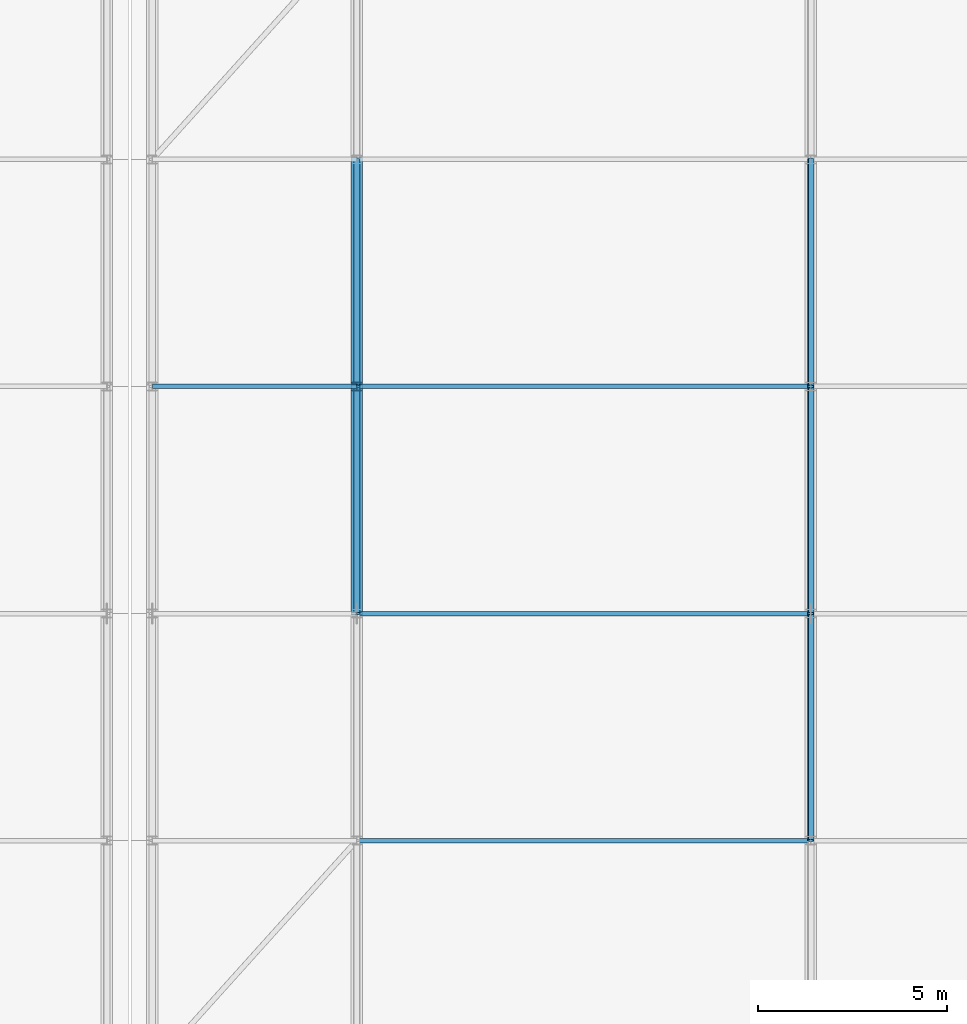
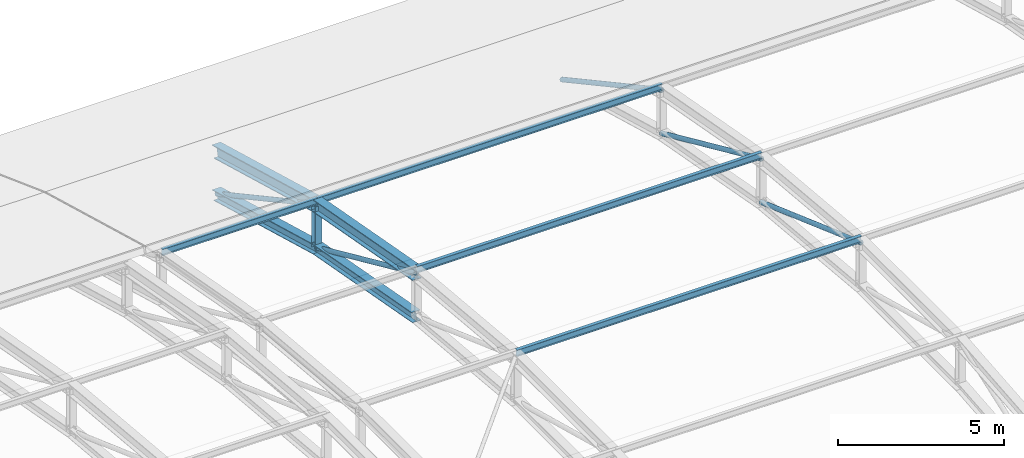
# One storey, part 102 of 204: 14 members.
"""IFC4 building model written with IfcOpenShell, lengths in metres."""

from ifc_helpers import new_model, si_unit, direction, frame, origin, origin_2d, place, context, subcontext, project, spatial, hollow_circle, i_section, extrude, material, material_profile, profile_set, type_object, element, save


model = new_model("IFC4")

# Units and contexts
model_context = context("Model", 3, precision=1e-05, world=origin(), true_north=direction((0.0, 1.0)))
body_context = subcontext(model_context, "Body", "Model", "MODEL_VIEW")
ifc_project = project(units=[si_unit("LENGTHUNIT", "METRE"), si_unit("AREAUNIT", "SQUARE_METRE"), si_unit("VOLUMEUNIT", "CUBIC_METRE"), si_unit("PLANEANGLEUNIT", "RADIAN"), si_unit("MASSUNIT", "GRAM", prefix="KILO")], contexts=[model_context])

# Site, building, storey
site_placement = place(None, origin())
site = spatial("IfcSite", under=ifc_project, at=site_placement, CompositionType="ELEMENT")
building_placement = place(site_placement, origin())
building = spatial("IfcBuilding", under=site, at=building_placement, Name="Zilviju Railside Exhibition Hall", CompositionType="ELEMENT")
storey_placement = place(building_placement, frame((0.0, 0.0, 21.0)))
storey = spatial("IfcBuildingStorey", under=building, at=storey_placement, Name="RF", CompositionType="ELEMENT", Elevation=21.0)

# Members
ifc_material = material(Name="Steel S355J2", Category="steel")
ifc_material_profile_1 = material_profile(ifc_material, hollow_circle(Radius=0.084228515625, WallThickness=0.008056640625, at=origin_2d()), Name="CHS 168.3x8.0")
ifc_profile_set_1 = profile_set([ifc_material_profile_1], Name="Steel S355J2")
member_type_1 = type_object("IfcMemberType", Name="TR-BR-CHS168", PredefinedType="BRACE", material=ifc_profile_set_1)
member_1_placement = place(storey_placement, frame((180.0, 36.0, -1.22216796875), z_axis=(0.0, 0.911563042822, -0.411160332425), x_axis=(-1.0, 0.0, 0.0)))
element("IfcMember", 1, at=member_1_placement, inside=storey, type_object=member_type_1, Name="V1 Parabolic Arch Web Diagonal X=180.0 P7", PredefinedType="BRACE", context=body_context, shape_type="SweptSolid", body=[
    extrude(hollow_circle(Radius=0.084228515625, WallThickness=0.008056640625, at=origin_2d()), origin(), (0.0, 0.0, 1.0), 6.58203125),
])
member_2_placement = place(storey_placement, frame((180.0, 42.0, -2.328369140625), z_axis=(0.0, 0.87872232578, -0.477333294644), x_axis=(-1.0, 0.0, 0.0)))
element("IfcMember", 2, at=member_2_placement, inside=storey, type_object=member_type_1, Name="V1 Parabolic Arch Web Diagonal X=180.0 P8", PredefinedType="BRACE", context=body_context, shape_type="SweptSolid", body=[
    extrude(hollow_circle(Radius=0.084228515625, WallThickness=0.008056640625, at=origin_2d()), origin(), (0.0, 0.0, 1.0), 6.828125),
])
member_3_placement = place(storey_placement, frame((192.0, 30.0, -0.669189453125), z_axis=(0.0, 0.94123307508, -0.337757751023), x_axis=(-1.0, 0.0, 0.0)))
element("IfcMember", 3, at=member_3_placement, inside=storey, type_object=member_type_1, Name="V1 Parabolic Arch Web Diagonal X=192.0 P6", PredefinedType="BRACE", context=body_context, shape_type="SweptSolid", body=[
    extrude(hollow_circle(Radius=0.084228515625, WallThickness=0.008056640625, at=origin_2d()), origin(), (0.0, 0.0, 1.0), 6.37451171875),
])
member_4_placement = place(storey_placement, frame((192.0, 36.0, -1.22216796875), z_axis=(0.0, 0.911563042822, -0.411160332425), x_axis=(-1.0, 0.0, 0.0)))
element("IfcMember", 4, at=member_4_placement, inside=storey, type_object=member_type_1, Name="V1 Parabolic Arch Web Diagonal X=192.0 P7", PredefinedType="BRACE", context=body_context, shape_type="SweptSolid", body=[
    extrude(hollow_circle(Radius=0.084228515625, WallThickness=0.008056640625, at=origin_2d()), origin(), (0.0, 0.0, 1.0), 6.58203125),
])
member_5_placement = place(storey_placement, frame((192.0, 42.0, -2.328369140625), z_axis=(0.0, 0.87872232578, -0.477333294644), x_axis=(-1.0, 0.0, 0.0)))
element("IfcMember", 5, at=member_5_placement, inside=storey, type_object=member_type_1, Name="V1 Parabolic Arch Web Diagonal X=192.0 P8", PredefinedType="BRACE", context=body_context, shape_type="SweptSolid", body=[
    extrude(hollow_circle(Radius=0.084228515625, WallThickness=0.008056640625, at=origin_2d()), origin(), (0.0, 0.0, 1.0), 6.828125),
])
ifc_material_profile_2 = material_profile(ifc_material, i_section(OverallWidth=0.300048828125, OverallDepth=0.360107421875, WebThickness=0.012451171875, FlangeThickness=0.0224609375, at=origin_2d()), Name="HEB 360")
ifc_profile_set_2 = profile_set([ifc_material_profile_2], Name="Steel S355J2")
member_type_2 = type_object("IfcMemberType", Name="TR-CH-HEB360", PredefinedType="CHORD", material=ifc_profile_set_2)
member_6_placement = place(storey_placement, frame((180.0, 36.0, -2.822265625), z_axis=(0.0, 0.98342578549, -0.18131112606), x_axis=(-1.0, 0.0, 0.0)))
element("IfcMember", 6, at=member_6_placement, inside=storey, type_object=member_type_2, Name="V1 Parabolic Arch Bottom Chord X=180.0 P7", PredefinedType="CHORD", context=body_context, shape_type="SweptSolid", body=[
    extrude(i_section(OverallWidth=0.300048828125, OverallDepth=0.360107421875, WebThickness=0.012451171875, FlangeThickness=0.0224609375, at=origin_2d()), origin(), (0.0, 0.0, 1.0), 6.10107421875),
])
member_7_placement = place(storey_placement, frame((180.0, 42.0, -3.928466796875), z_axis=(0.0, 0.963827412659, -0.266527144223), x_axis=(-1.0, 0.0, 0.0)))
element("IfcMember", 7, at=member_7_placement, inside=storey, type_object=member_type_2, Name="V1 Parabolic Arch Bottom Chord X=180.0 P8", PredefinedType="CHORD", context=body_context, shape_type="SweptSolid", body=[
    extrude(i_section(OverallWidth=0.300048828125, OverallDepth=0.360107421875, WebThickness=0.012451171875, FlangeThickness=0.0224609375, at=origin_2d()), origin(), (0.0, 0.0, 1.0), 6.22509765625),
])
ifc_material_profile_3 = material_profile(ifc_material, i_section(OverallWidth=0.300048828125, OverallDepth=0.449951171875, WebThickness=0.013916015625, FlangeThickness=0.02587890625, at=origin_2d()), Name="HEB 450")
ifc_profile_set_3 = profile_set([ifc_material_profile_3], Name="Steel S355J2")
member_type_3 = type_object("IfcMemberType", Name="TR-CH-HEB450", PredefinedType="CHORD", material=ifc_profile_set_3)
member_8_placement = place(storey_placement, frame((180.0, 36.0, -1.22216796875), z_axis=(0.0, 0.98342578549, -0.18131112606), x_axis=(-1.0, 0.0, 0.0)))
element("IfcMember", 8, at=member_8_placement, inside=storey, type_object=member_type_3, Name="V1 Parabolic Arch Top Chord X=180.0 P7", PredefinedType="CHORD", context=body_context, shape_type="SweptSolid", body=[
    extrude(i_section(OverallWidth=0.300048828125, OverallDepth=0.449951171875, WebThickness=0.013916015625, FlangeThickness=0.02587890625, at=origin_2d()), origin(), (0.0, 0.0, 1.0), 6.10107421875),
])
member_9_placement = place(storey_placement, frame((180.0, 42.0, -2.328369140625), z_axis=(0.0, 0.963827412659, -0.266527144223), x_axis=(-1.0, 0.0, 0.0)))
element("IfcMember", 9, at=member_9_placement, inside=storey, type_object=member_type_3, Name="V1 Parabolic Arch Top Chord X=180.0 P8", PredefinedType="CHORD", context=body_context, shape_type="SweptSolid", body=[
    extrude(i_section(OverallWidth=0.300048828125, OverallDepth=0.449951171875, WebThickness=0.013916015625, FlangeThickness=0.02587890625, at=origin_2d()), origin(), (0.0, 0.0, 1.0), 6.22509765625),
])
ifc_material_profile_4 = material_profile(ifc_material, i_section(OverallWidth=0.239990234375, OverallDepth=0.22998046875, WebThickness=0.007568359375, FlangeThickness=0.011962890625, at=origin_2d()), Name="HEA 240")
ifc_profile_set_4 = profile_set([ifc_material_profile_4], Name="Steel S355J2")
member_type_4 = type_object("IfcMemberType", Name="TR-POST-HEA240", PredefinedType="POST", material=ifc_profile_set_4)
member_10_placement = place(storey_placement, frame((180.0, 42.0, -3.928466796875), z_axis=(0.0, 0.0, 1.0), x_axis=(1.0, 0.0, 0.0)))
element("IfcMember", 10, at=member_10_placement, inside=storey, type_object=member_type_4, Name="V1 Parabolic Arch Web Post X=180.0 N7", PredefinedType="POST", context=body_context, shape_type="SweptSolid", body=[
    extrude(i_section(OverallWidth=0.239990234375, OverallDepth=0.22998046875, WebThickness=0.007568359375, FlangeThickness=0.011962890625, at=origin_2d()), origin(), (0.0, 0.0, 1.0), 1.60009765625),
])
ifc_material_profile_5 = material_profile(ifc_material, i_section(OverallWidth=0.1201171875, OverallDepth=0.239990234375, WebThickness=0.006103515625, FlangeThickness=0.009765625, at=origin_2d()), Name="IPE 240")
ifc_profile_set_5 = profile_set([ifc_material_profile_5], Name="Steel S355J2")
member_type_5 = type_object("IfcMemberType", Name="TR-PUR-IPE240", PredefinedType="PURLIN", material=ifc_profile_set_5)
member_11_placement = place(storey_placement, frame((174.60009765625, 42.0, -2.193603515625), z_axis=(1.0, 0.0, 0.0), x_axis=(0.0, 1.0, 0.0)))
element("IfcMember", 11, at=member_11_placement, inside=storey, type_object=member_type_5, Name="V1 Barrel Vault Roof Purlin Y=42.0 (174.6..180.0)", PredefinedType="PURLIN", context=body_context, shape_type="SweptSolid", body=[
    extrude(i_section(OverallWidth=0.1201171875, OverallDepth=0.239990234375, WebThickness=0.006103515625, FlangeThickness=0.009765625, at=origin_2d()), origin(), (0.0, 0.0, 1.0), 5.39990234375),
])
for number, where, z_axis, x_axis, name in (
    (12, (180.0, 30.0, -0.515625), (1.0, 0.0, 0.0), (0.0, 1.0, 0.0), "V1 Barrel Vault Roof Purlin Y=30.0 (180.0..192.0)"),
    (13, (180.0, 36.0, -1.0771484375), (1.0, 0.0, 0.0), (0.0, 1.0, 0.0), "V1 Barrel Vault Roof Purlin Y=36.0 (180.0..192.0)"),
    (14, (180.0, 42.0, -2.193603515625), (1.0, 0.0, 0.0), (0.0, 1.0, 0.0), "V1 Barrel Vault Roof Purlin Y=42.0 (180.0..192.0)"),
):
    element("IfcMember", number, at=place(storey_placement, frame(where, z_axis=z_axis, x_axis=x_axis)), inside=storey, type_object=member_type_5, Name=name, PredefinedType="PURLIN", context=body_context, shape_type="SweptSolid", body=[
        extrude(i_section(OverallWidth=0.1201171875, OverallDepth=0.239990234375, WebThickness=0.006103515625, FlangeThickness=0.009765625, at=origin_2d()), origin(), (0.0, 0.0, 1.0), 12.0),
    ])

save(model, "model.ifc")
